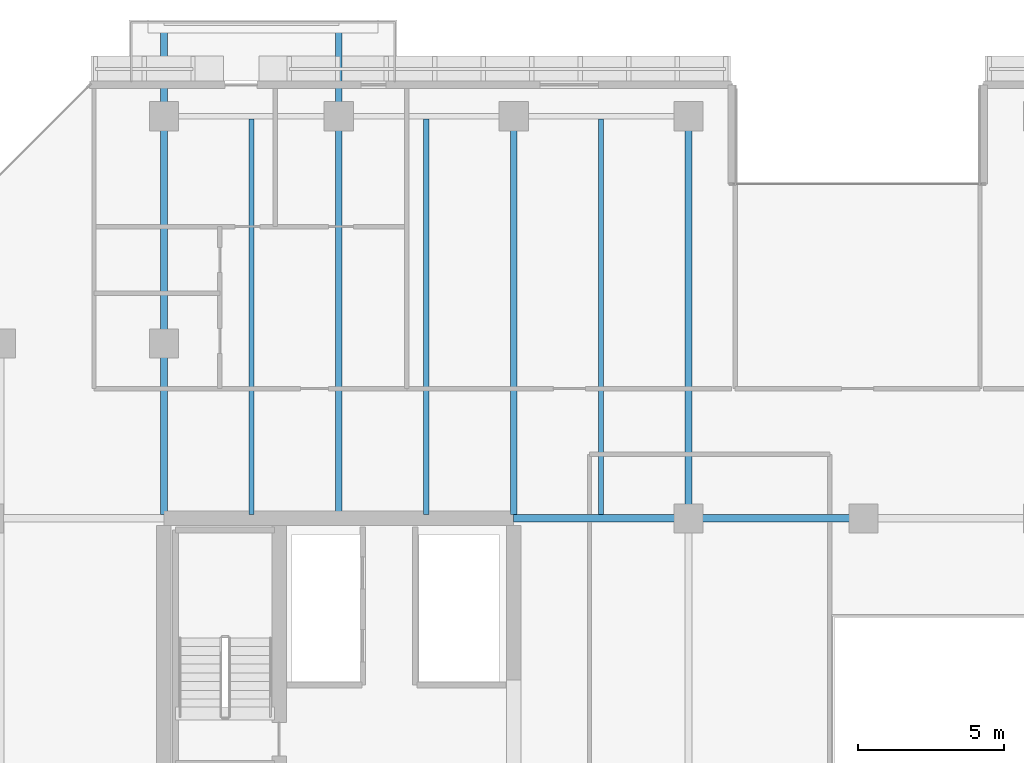
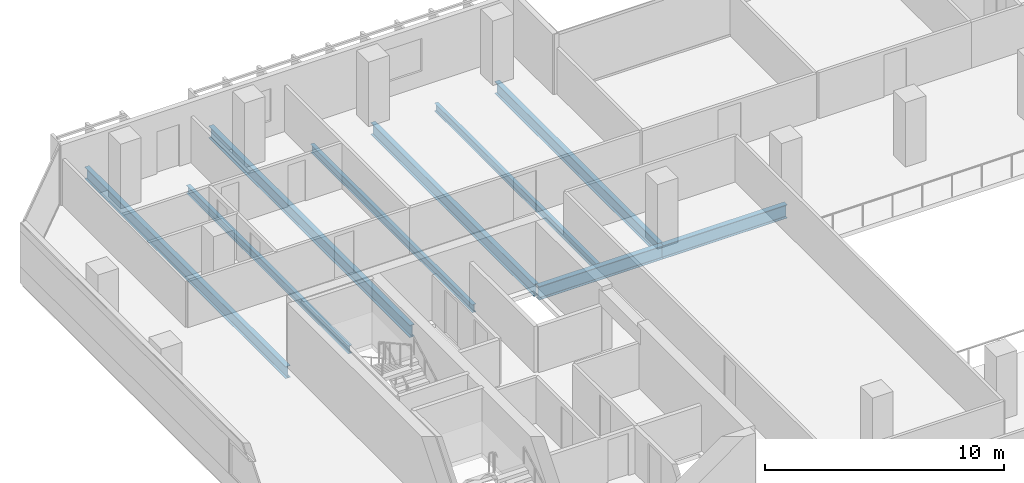
# One storey, part 9 of 33: 9 beams.
"""IFC4 building model written with IfcOpenShell, lengths in metres."""

from ifc_helpers import new_model, si_unit, direction, frame, origin, origin_2d, place, context, subcontext, project, spatial, i_section, extrude, material, material_profile, profile_set, type_object, element, save


model = new_model("IFC4")

# Units and contexts
model_context = context("Model", 3, precision=1e-05, world=origin(), true_north=direction((0.0, 1.0)))
body_context = subcontext(model_context, "Body", "Model", "MODEL_VIEW")
ifc_project = project(units=[si_unit("LENGTHUNIT", "METRE"), si_unit("AREAUNIT", "SQUARE_METRE"), si_unit("VOLUMEUNIT", "CUBIC_METRE"), si_unit("PLANEANGLEUNIT", "RADIAN"), si_unit("MASSUNIT", "GRAM", prefix="KILO")], contexts=[model_context])

# Site, building, storey
site_placement = place(None, origin())
site = spatial("IfcSite", under=ifc_project, at=site_placement, CompositionType="ELEMENT")
building_placement = place(site_placement, origin())
building = spatial("IfcBuilding", under=site, at=building_placement, Name="Tanjung Sevakor Pilgrim Tower", CompositionType="ELEMENT")
storey_placement = place(building_placement, frame((0.0, 0.0, 95.3701171875)))
storey = spatial("IfcBuildingStorey", under=building, at=storey_placement, Name="L26", CompositionType="ELEMENT", Elevation=95.3701171875)

# Beams
ifc_material_1 = material(Name="Steel S355J2", Category="steel")
ifc_material_profile_1 = material_profile(ifc_material_1, i_section(OverallWidth=0.25439453125, OverallDepth=0.6875, WebThickness=0.01318359375, FlangeThickness=0.02099609375, FilletRadius=0.01513671875, at=origin_2d()))
ifc_profile_set_1 = profile_set([ifc_material_profile_1], Name="Steel S355J2")
beam_type_1 = type_object("IfcBeamType", Name="BM-B-G2-UB_686x254x152", PredefinedType="BEAM", material=ifc_profile_set_1)
for number, where, z_axis, x_axis, name in (
    (1, (36.0, 42.60009765625, -0.563720703125), (1.0, 0.0, 0.0), (0.0, 1.0, 0.0), "L26 Primary Floor Girder MAIN Y426-02"),
    (2, (42.0, 42.60009765625, -0.563720703125), (1.0, 0.0, 0.0), (0.0, 1.0, 0.0), "L26 Primary Floor Girder MAIN Y426-03"),
):
    element("IfcBeam", number, at=place(storey_placement, frame(where, z_axis=z_axis, x_axis=x_axis)), inside=storey, type_object=beam_type_1, Name=name, PredefinedType="BEAM", context=body_context, shape_type="SweptSolid", body=[
        extrude(i_section(OverallWidth=0.25439453125, OverallDepth=0.6875, WebThickness=0.01318359375, FlangeThickness=0.02099609375, FilletRadius=0.01513671875, at=origin_2d()), origin(), (0.0, 0.0, 1.0), 6.0),
    ])
ifc_material_2 = material(Name="Steel S355J2", Category="steel")
ifc_material_profile_2 = material_profile(ifc_material_2, i_section(OverallWidth=0.230224609375, OverallDepth=0.6171875, WebThickness=0.01318359375, FlangeThickness=0.022216796875, FilletRadius=0.0126953125, at=origin_2d()))
ifc_profile_set_2 = profile_set([ifc_material_profile_2], Name="Steel S355J2")
beam_type_2 = type_object("IfcBeamType", Name="BM-B-G3-UB_610x229x140", PredefinedType="BEAM", material=ifc_profile_set_2)
for number, where, z_axis, x_axis, name in (
    (3, (24.0, 42.727294921875, -0.52880859375), (0.0, 1.0, 0.0), (-1.0, 0.0, 0.0), "L26 Balcony Cantilever Beam MAIN-N1-1"),
    (4, (30.0, 42.727294921875, -0.52880859375), (0.0, 1.0, 0.0), (-1.0, 0.0, 0.0), "L26 Balcony Cantilever Beam MAIN-N1-2"),
):
    element("IfcBeam", number, at=place(storey_placement, frame(where, z_axis=z_axis, x_axis=x_axis)), inside=storey, type_object=beam_type_2, Name=name, PredefinedType="BEAM", context=body_context, shape_type="SweptSolid", body=[
        extrude(i_section(OverallWidth=0.230224609375, OverallDepth=0.6171875, WebThickness=0.01318359375, FlangeThickness=0.022216796875, FilletRadius=0.0126953125, at=origin_2d()), origin(), (0.0, 0.0, 1.0), 16.852783203125),
    ])
beam_1_placement = place(storey_placement, frame((36.0, 42.727294921875, -0.52880859375), z_axis=(0.0, 1.0, 0.0), x_axis=(-1.0, 0.0, 0.0)))
element("IfcBeam", 5, at=beam_1_placement, inside=storey, type_object=beam_type_2, Name="L26 MAIN Girder 006", PredefinedType="BEAM", context=body_context, shape_type="SweptSolid", body=[
    extrude(i_section(OverallWidth=0.230224609375, OverallDepth=0.6171875, WebThickness=0.01318359375, FlangeThickness=0.022216796875, FilletRadius=0.0126953125, at=origin_2d()), origin(), (0.0, 0.0, 1.0), 13.672607421875),
])
beam_2_placement = place(storey_placement, frame((42.0, 42.60009765625, -0.52880859375), z_axis=(0.0, 1.0, 0.0), x_axis=(-1.0, 0.0, 0.0)))
element("IfcBeam", 6, at=beam_2_placement, inside=storey, type_object=beam_type_2, Name="L26 MAIN Girder 011", PredefinedType="BEAM", context=body_context, shape_type="SweptSolid", body=[
    extrude(i_section(OverallWidth=0.230224609375, OverallDepth=0.6171875, WebThickness=0.01318359375, FlangeThickness=0.022216796875, FilletRadius=0.0126953125, at=origin_2d()), origin(), (0.0, 0.0, 1.0), 13.7998046875),
])
ifc_material_3 = material(Name="Steel S355J2", Category="steel")
ifc_material_profile_3 = material_profile(ifc_material_3, i_section(OverallWidth=0.1787109375, OverallDepth=0.409423828125, WebThickness=0.0087890625, FlangeThickness=0.014404296875, FilletRadius=0.01025390625, at=origin_2d()))
ifc_profile_set_3 = profile_set([ifc_material_profile_3], Name="Steel S355J2")
beam_type_3 = type_object("IfcBeamType", Name="BM-B-J3-UB_406x178x67", PredefinedType="JOIST", material=ifc_profile_set_3)
for number, where, z_axis, x_axis, name in (
    (7, (27.0, 42.727294921875, -0.4248046875), (0.0, 1.0, 0.0), (-1.0, 0.0, 0.0), "L26 MAIN Joist 002"),
    (8, (33.0, 42.727294921875, -0.4248046875), (0.0, 1.0, 0.0), (-1.0, 0.0, 0.0), "L26 MAIN Joist 004"),
    (9, (39.0, 42.727294921875, -0.4248046875), (0.0, 1.0, 0.0), (-1.0, 0.0, 0.0), "L26 MAIN Joist 008"),
):
    element("IfcBeam", number, at=place(storey_placement, frame(where, z_axis=z_axis, x_axis=x_axis)), inside=storey, type_object=beam_type_3, Name=name, PredefinedType="JOIST", context=body_context, shape_type="SweptSolid", body=[
        extrude(i_section(OverallWidth=0.1787109375, OverallDepth=0.409423828125, WebThickness=0.0087890625, FlangeThickness=0.014404296875, FilletRadius=0.01025390625, at=origin_2d()), origin(), (0.0, 0.0, 1.0), 13.57275390625),
    ])

save(model, "model.ifc")
